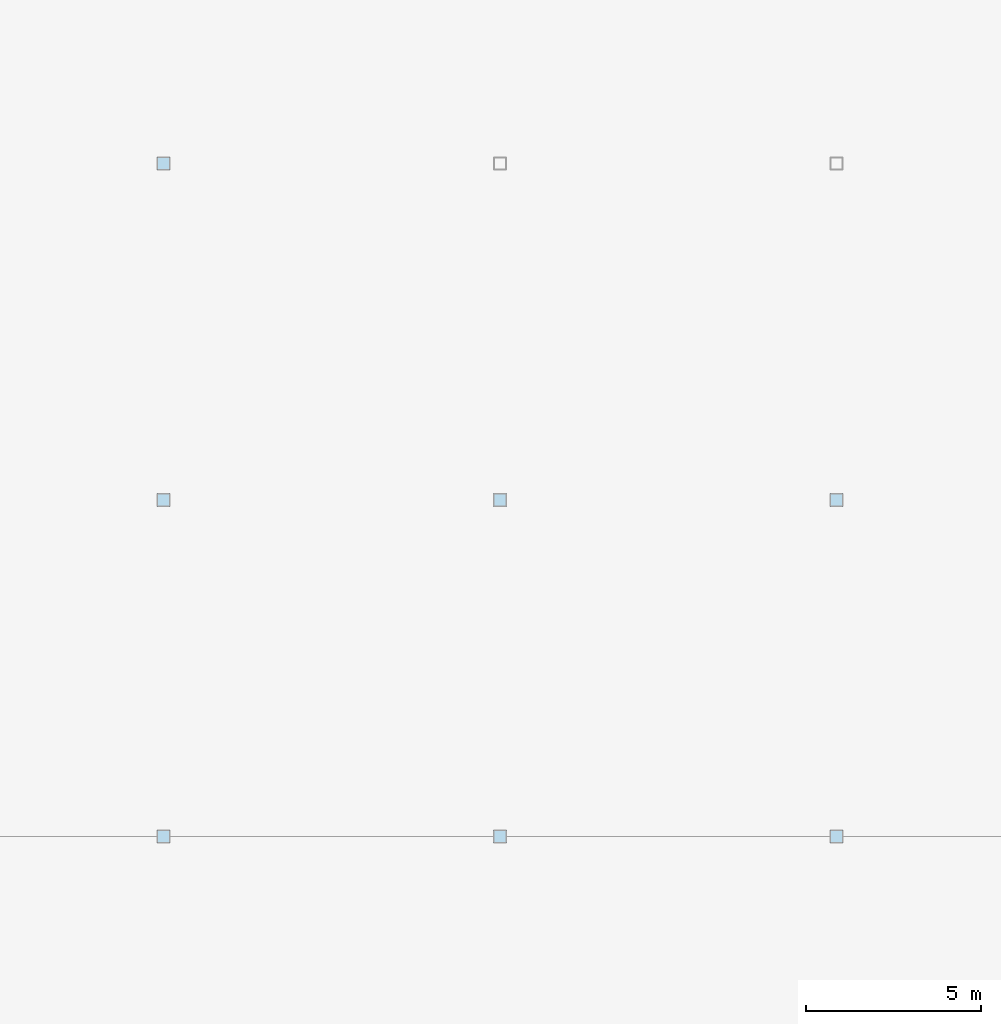
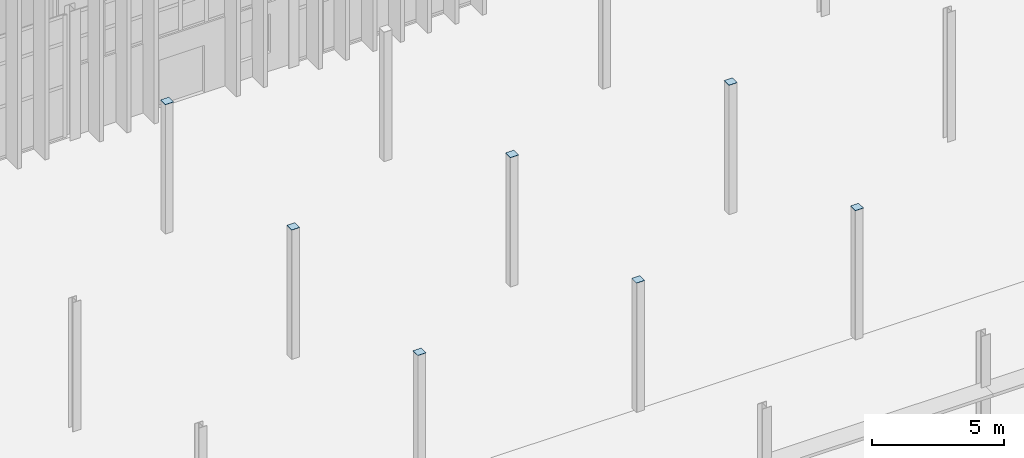
# One storey, part 92 of 139: 7 plates.
"""IFC4 building model written with IfcOpenShell, lengths in metres."""

import ifcopenshell
import ifcopenshell.guid

model = None  # the IFC model being written
_history = None  # IfcOwnerHistory: only IFC2X3 demands one
_inside = {}  # id of a spatial element -> (the spatial element, [elements in it])
_under = {}  # id of a project, library or spatial element -> (it, [spatial elements below it])
_declared = {}  # id of a project -> (the project, [libraries it declares])
_typed = {}  # id of a type object -> (the type object, [elements of that type])
_made_of = {}  # id of a material, layer set ... -> (it, [elements and type objects made of it])


def new_model(schema):
    """Start an empty IFC model of exactly this schema.

    Asked for "IFC4X3", IfcOpenShell would pick the latest addendum, in which some entities
    have other attributes; the version numbers below select the first issue.
    IFC2X3 requires an IfcOwnerHistory on every rooted entity: one is made here for all.
    """
    global model, _history
    if schema == "IFC4X3":
        model = ifcopenshell.file(schema_version=(4, 3, 0, 0))
    else:
        model = ifcopenshell.file(schema=schema)
    _inside.clear()
    _under.clear()
    _declared.clear()
    _typed.clear()
    _made_of.clear()
    _history = None
    if model.schema == "IFC2X3":
        org = make("IfcOrganization", Name="unknown")
        user = make(
            "IfcPersonAndOrganization",
            ThePerson=make("IfcPerson", FamilyName="unknown"),
            TheOrganization=org,
        )
        app = make(
            "IfcApplication",
            ApplicationDeveloper=org,
            Version="unknown",
            ApplicationFullName="unknown",
            ApplicationIdentifier="unknown",
        )
        _history = make(
            "IfcOwnerHistory",
            OwningUser=user,
            OwningApplication=app,
            ChangeAction="ADDED",
            CreationDate=0,
        )
    return model


def make(cls, **values):
    """One entity of the class cls with the attributes given. An attribute that is None is left unset."""
    return model.create_entity(
        cls, **{name: value for name, value in values.items() if value is not None}
    )


def rooted(cls, **values):
    """An entity with a GlobalId (a new one), such as an element, a storey or a relation."""
    return make(cls, GlobalId=ifcopenshell.guid.new(), OwnerHistory=_history, **values)


def si_unit(unit_type, name, prefix=None):
    """IfcSIUnit, for example si_unit("LENGTHUNIT", "METRE", prefix="MILLI")."""
    return make("IfcSIUnit", UnitType=unit_type, Prefix=prefix, Name=name)


def assignment(units):
    """IfcUnitAssignment: the units of a project."""
    return None if units is None else make("IfcUnitAssignment", Units=units)


def point(xyz):
    """IfcCartesianPoint."""
    return None if xyz is None else make("IfcCartesianPoint", Coordinates=xyz)


def direction(xyz):
    """IfcDirection."""
    return None if xyz is None else make("IfcDirection", DirectionRatios=xyz)


def frame(location, z_axis=None, x_axis=None):
    """IfcAxis2Placement3D, a coordinate frame: its origin and axes. An axis left out is left unset."""
    return make(
        "IfcAxis2Placement3D",
        Location=point(location),
        Axis=direction(z_axis),
        RefDirection=direction(x_axis),
    )


def frame_2d(location, x_axis=None):
    """IfcAxis2Placement2D, a coordinate frame in the plane: its origin and x axis."""
    return make(
        "IfcAxis2Placement2D", Location=point(location), RefDirection=direction(x_axis)
    )


def origin():
    """The frame at (0, 0, 0) with its axes left unset."""
    return frame((0.0, 0.0, 0.0))


def origin_2d():
    """The frame at (0, 0) in the plane with its x axis left unset."""
    return frame_2d((0.0, 0.0))


def place(relative_to, where):
    """IfcLocalPlacement: puts the frame where relative to a parent placement (None: the world)."""
    return make(
        "IfcLocalPlacement", PlacementRelTo=relative_to, RelativePlacement=where
    )


def context(
    kind, dimensions, precision=None, world=None, true_north=None, identifier=None
):
    """IfcGeometricRepresentationContext, for example the 3D "Model" context."""
    return make(
        "IfcGeometricRepresentationContext",
        ContextIdentifier=identifier,
        ContextType=kind,
        CoordinateSpaceDimension=dimensions,
        Precision=precision,
        WorldCoordinateSystem=world,
        TrueNorth=true_north,
    )


def subcontext(parent, identifier, kind, view, scale=None):
    """IfcGeometricRepresentationSubContext, for example "Body" below "Model"."""
    return make(
        "IfcGeometricRepresentationSubContext",
        ContextIdentifier=identifier,
        ContextType=kind,
        ParentContext=parent,
        TargetScale=scale,
        TargetView=view,
    )


def project(units=None, contexts=None):
    """IfcProject with its units and contexts."""
    return rooted(
        "IfcProject",
        Name="project",
        RepresentationContexts=contexts,
        UnitsInContext=assignment(units),
    )


def spatial(cls, under=None, at=None, **own):
    """A site, building, storey or space (cls), placed at a placement, below another one or the project."""
    s = rooted(cls, ObjectPlacement=at, **own)
    if under is not None:
        _under.setdefault(under.id(), (under, []))[1].append(s)
    return s


def profile(cls, at=None, kind="AREA", **sizes):
    """A parametric profile (cls). Its sizes go by their IFC names, for example OverallWidth=200.0."""
    return make(cls, ProfileType=kind, Position=at, **sizes)


def rectangle(**sizes):
    """IfcRectangleProfileDef."""
    return profile("IfcRectangleProfileDef", **sizes)


def extrude(swept, where, along, depth):
    """IfcExtrudedAreaSolid: the profile swept, set in the frame where, extruded along a direction by depth."""
    return make(
        "IfcExtrudedAreaSolid",
        SweptArea=swept,
        Position=where,
        ExtrudedDirection=direction(along),
        Depth=depth,
    )


def shape(context_of_items, identifier, shape_type, items):
    """IfcShapeRepresentation: the items that make up one representation, for example the "Body"."""
    return make(
        "IfcShapeRepresentation",
        ContextOfItems=context_of_items,
        RepresentationIdentifier=identifier,
        RepresentationType=shape_type,
        Items=items,
    )


def material(Name=None, Category=None):
    """IfcMaterial."""
    return make("IfcMaterial", Name=Name, Category=Category)


def layer(
    of_material, thickness, ventilated=None, Name=None, Category=None, Priority=None
):
    """IfcMaterialLayer: one layer of a wall or slab, of a material (None: an air gap)."""
    return make(
        "IfcMaterialLayer",
        Material=of_material,
        LayerThickness=thickness,
        IsVentilated=ventilated,
        Name=Name,
        Category=Category,
        Priority=Priority,
    )


def layer_set(layers, Name=None):
    """IfcMaterialLayerSet."""
    return make("IfcMaterialLayerSet", MaterialLayers=layers, LayerSetName=Name)


def made_of(thing, what):
    """Note that an element or type object is made of a material, layer set ...; save() writes the relation."""
    if what is not None:
        _made_of.setdefault(what.id(), (what, []))[1].append(thing)
    return thing


def type_object(cls, material=None, **own):
    """A type object (cls), such as IfcWallType, which elements share."""
    return made_of(rooted(cls, **own), material)


def element(
    cls,
    number,
    at=None,
    inside=None,
    cuts=None,
    type_object=None,
    material=None,
    context=None,
    identifier="Body",
    shape_type=None,
    held_by="IfcProductDefinitionShape",
    body=None,
    shapes=None,
    **own,
):
    """One element of the class cls, such as IfcWall. Its Tag is "e" and its number.

    at: its placement. inside: the storey or other place that contains it. cuts: it is an
    opening in that element (IfcRelVoidsElement). A single representation is given by context,
    identifier, shape_type and body (its items); several are given by shapes. held_by: the class
    of the entity that holds the representations. save() writes the other relations.
    """
    e = rooted(cls, Tag="e%d" % number, ObjectPlacement=at, **own)
    if body is not None:
        shapes = [shape(context, identifier, shape_type, body)]
    if shapes is not None:
        e.Representation = make(held_by, Representations=shapes)
    if inside is not None:
        _inside.setdefault(inside.id(), (inside, []))[1].append(e)
    if cuts is not None:
        rooted(
            "IfcRelVoidsElement", RelatingBuildingElement=cuts, RelatedOpeningElement=e
        )
    if type_object is not None:
        _typed.setdefault(type_object.id(), (type_object, []))[1].append(e)
    return made_of(e, material)


def aggregate(whole, parts):
    """IfcRelAggregates: a whole, such as a stair, and the parts it consists of."""
    return rooted("IfcRelAggregates", RelatingObject=whole, RelatedObjects=parts)


def save(model, path):
    """Write the relations noted so far, then the file.

    IfcRelAggregates (storeys below a building ...), IfcRelContainedInSpatialStructure (elements
    in a storey), IfcRelDefinesByType, IfcRelAssociatesMaterial and IfcRelDeclares: one each for
    every whole, place, type object, material and project.
    """
    for whole, parts in _under.values():
        aggregate(whole, parts)
    for where, things in _inside.values():
        rooted(
            "IfcRelContainedInSpatialStructure",
            RelatedElements=things,
            RelatingStructure=where,
        )
    for kind, things in _typed.values():
        rooted("IfcRelDefinesByType", RelatedObjects=things, RelatingType=kind)
    for what, things in _made_of.values():
        rooted("IfcRelAssociatesMaterial", RelatedObjects=things, RelatingMaterial=what)
    for by, libraries in _declared.values():
        rooted("IfcRelDeclares", RelatingContext=by, RelatedDefinitions=libraries)
    model.write(path)


model = new_model("IFC4")

# Units and contexts
model_context = context("Model", 3, precision=1e-05, world=origin(), true_north=direction((0.0, 1.0)))
body_context = subcontext(model_context, "Body", "Model", "MODEL_VIEW")
ifc_project = project(units=[si_unit("LENGTHUNIT", "METRE"), si_unit("AREAUNIT", "SQUARE_METRE"), si_unit("VOLUMEUNIT", "CUBIC_METRE"), si_unit("PLANEANGLEUNIT", "RADIAN"), si_unit("MASSUNIT", "GRAM", prefix="KILO")], contexts=[model_context])

# Site, building, storey
site_placement = place(None, origin())
site = spatial("IfcSite", under=ifc_project, at=site_placement, CompositionType="ELEMENT")
building_placement = place(site_placement, origin())
building = spatial("IfcBuilding", under=site, at=building_placement, Name="Yeouljin Market Hall", CompositionType="ELEMENT")
storey_placement = place(building_placement, origin())
storey = spatial("IfcBuildingStorey", under=building, at=storey_placement, Name="L00", CompositionType="ELEMENT", Elevation=0.0)

# Plates
ifc_material = material(Name="Steel SM355", Category="steel")
ifc_layer = layer(ifc_material, 0.01611328125)
ifc_layer_set = layer_set([ifc_layer], Name="Steel SM355")
plate_type = type_object("IfcPlateType", Name="CapPlate_360x360x16", PredefinedType="SHEET", material=ifc_layer_set)
for number, where, z_axis, x_axis, name in (
    (1, (83.39990234375, 9.60009765625, 6.0), (0.0, 0.0, 1.0), (1.0, 0.0, 0.0), "Hollow column top cap plate G-10-01 (L00)"),
    (2, (83.39990234375, 19.199951171875, 6.0), (0.0, 0.0, 1.0), (1.0, 0.0, 0.0), "Hollow column top cap plate G-10-02 (L00)"),
    (3, (83.39990234375, 28.800048828125, 6.0), (0.0, 0.0, 1.0), (1.0, 0.0, 0.0), "Hollow column top cap plate G-10-03 (L00)"),
    (4, (93.0, 9.60009765625, 6.0), (0.0, 0.0, 1.0), (1.0, 0.0, 0.0), "Hollow column top cap plate G-11-01 (L00)"),
    (5, (93.0, 19.199951171875, 6.0), (0.0, 0.0, 1.0), (1.0, 0.0, 0.0), "Hollow column top cap plate G-11-02 (L00)"),
    (6, (102.60009765625, 9.60009765625, 6.0), (0.0, 0.0, 1.0), (1.0, 0.0, 0.0), "Hollow column top cap plate G-12-01 (L00)"),
    (7, (102.60009765625, 19.199951171875, 6.0), (0.0, 0.0, 1.0), (1.0, 0.0, 0.0), "Hollow column top cap plate G-12-02 (L00)"),
):
    element("IfcPlate", number, at=place(storey_placement, frame(where, z_axis=z_axis, x_axis=x_axis)), inside=storey, type_object=plate_type, Name=name, PredefinedType="SHEET", context=body_context, shape_type="SweptSolid", body=[
        extrude(rectangle(XDim=0.360107421875, YDim=0.360107421875, at=origin_2d()), origin(), (0.0, 0.0, 1.0), 0.01611328125),
    ])

save(model, "model.ifc")
